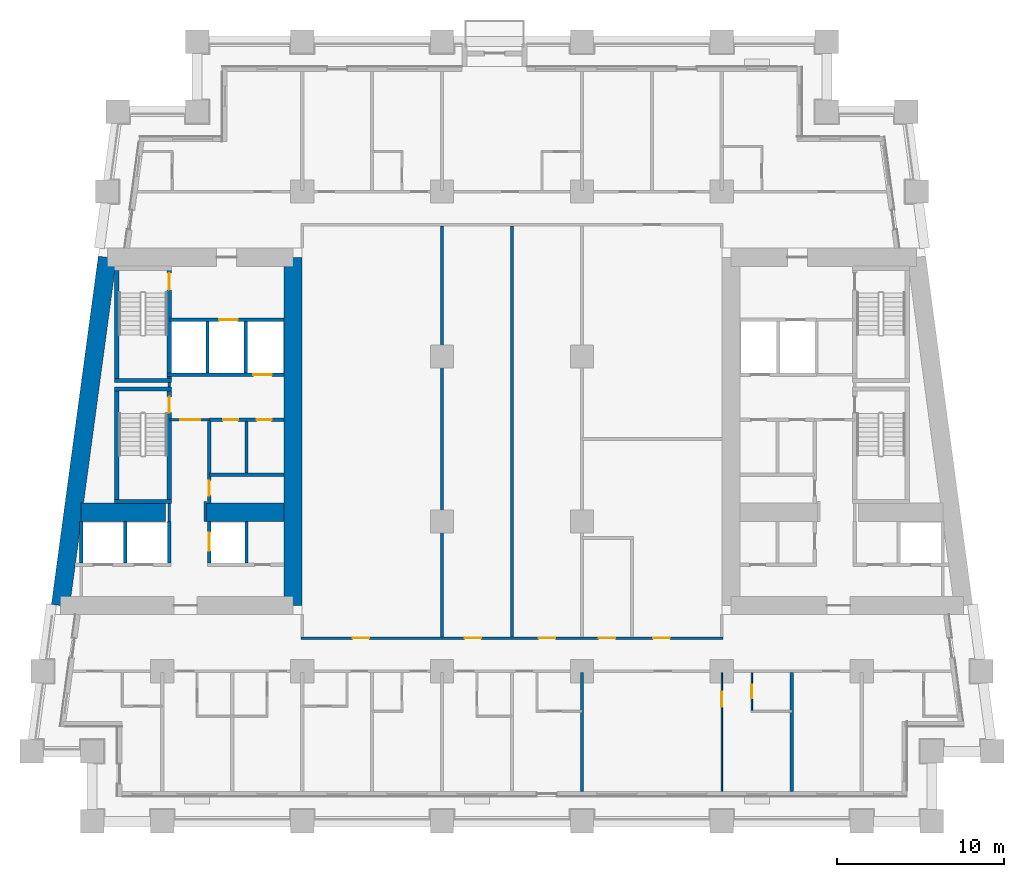
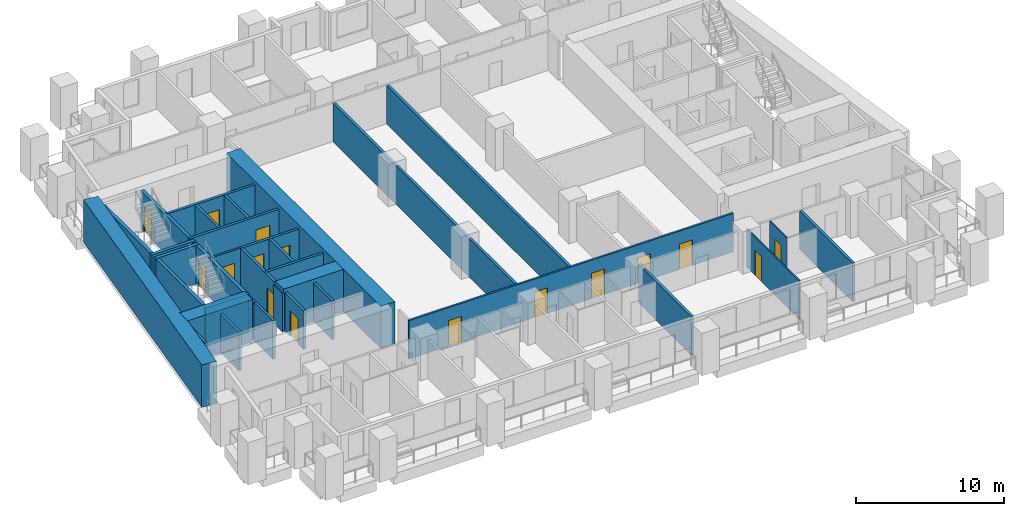
# One storey, part 4 of 13: 35 walls, 16 doors, 16 openings.
"""IFC4 building model written with IfcOpenShell, lengths in metres."""

from ifc_helpers import new_model, si_unit, direction, frame, frame_2d, origin, place, context, subcontext, project, spatial, rectangle, extrude, material, layer, layer_set, type_object, element, fill, save


model = new_model("IFC4")

# Units and contexts
model_context = context("Model", 3, precision=1e-05, world=origin(), true_north=direction((0.0, 1.0)))
body_context = subcontext(model_context, "Body", "Model", "MODEL_VIEW")
ifc_project = project(units=[si_unit("LENGTHUNIT", "METRE"), si_unit("AREAUNIT", "SQUARE_METRE"), si_unit("VOLUMEUNIT", "CUBIC_METRE"), si_unit("PLANEANGLEUNIT", "RADIAN"), si_unit("MASSUNIT", "GRAM", prefix="KILO")], contexts=[model_context])

# Site, building, storey
site_placement = place(None, origin())
site = spatial("IfcSite", under=ifc_project, at=site_placement, CompositionType="ELEMENT")
building_placement = place(site_placement, origin())
building = spatial("IfcBuilding", under=site, at=building_placement, Name="Candeia Pilgrim Tower and Theatre", CompositionType="ELEMENT")
storey_placement = place(building_placement, frame((0.0, 0.0, 67.0)))
storey = spatial("IfcBuildingStorey", under=building, at=storey_placement, Name="L14", CompositionType="ELEMENT", Elevation=67.0)

# Walls
ifc_material_1 = material(Name="Concrete C80/95", Category="concrete")
ifc_layer_1 = layer(ifc_material_1, 1.10009765625)
ifc_layer_set_1 = layer_set([ifc_layer_1], Name="Core wall 1100 C80/95")
wall_type_1 = type_object("IfcWallType", Name="Core wall 1100 C80/95", PredefinedType="SHEAR", material=ifc_layer_set_1)
wall_1_placement = place(storey_placement, frame((100.25, 131.85009765625, 0.0), z_axis=(0.0, 0.0, 1.0), x_axis=(0.0, -1.0, 0.0)))
element("IfcWall", 1, at=wall_1_placement, inside=storey, type_object=wall_type_1, Name="Core wall W2", PredefinedType="SHEAR", context=body_context, shape_type="SweptSolid", body=[
    extrude(rectangle(XDim=20.900146484375, YDim=1.10009765625, at=frame_2d((10.4501953125, 0.0))), origin(), (0.0, 0.0, 1.0), 3.5),
])
wall_2_placement = place(storey_placement, frame((86.29833984375, 110.949951171875, 0.0), z_axis=(0.0, 0.0, 1.0), x_axis=(0.133400422634, 0.99106222168, 0.0)))
element("IfcWall", 2, at=wall_2_placement, inside=storey, type_object=wall_type_1, Name="Core wall W4", PredefinedType="SHEAR", context=body_context, shape_type="SweptSolid", body=[
    extrude(rectangle(XDim=21.088623046875, YDim=1.10009765625, at=frame_2d((10.54443359375, 0.0))), origin(), (0.0, 0.0, 1.0), 3.5),
])
wall_3_placement = place(storey_placement, frame((87.523193359375, 116.550048828125, 0.0), z_axis=(0.0, 0.0, 1.0), x_axis=(1.0, 0.0, 0.0)))
element("IfcWall", 3, at=wall_3_placement, inside=storey, type_object=wall_type_1, Name="Core wall W5", PredefinedType="SHEAR", context=body_context, shape_type="SweptSolid", body=[
    extrude(rectangle(XDim=5.076904296875, YDim=1.10009765625, at=frame_2d((2.53857421875, 0.0))), origin(), (0.0, 0.0, 1.0), 3.5),
])
wall_4_placement = place(storey_placement, frame((95.0, 116.550048828125, 0.0), z_axis=(0.0, 0.0, 1.0), x_axis=(1.0, 0.0, 0.0)))
element("IfcWall", 4, at=wall_4_placement, inside=storey, type_object=wall_type_1, Name="Core wall W6", PredefinedType="SHEAR", context=body_context, shape_type="SweptSolid", body=[
    extrude(rectangle(XDim=4.699951171875, YDim=1.10009765625, at=frame_2d((2.35009765625, 0.0))), origin(), (0.0, 0.0, 1.0), 3.5),
])

# Wall, opening, door
ifc_material_2 = material(Name="Gypsum board partition on steel studs", Category="steel")
ifc_layer_2 = layer(ifc_material_2, 0.10009765625)
ifc_layer_set_2 = layer_set([ifc_layer_2], Name="PW-100 room partition")
wall_type_2 = type_object("IfcWallType", Name="PW-100 room partition", PredefinedType="PARTITIONING", material=ifc_layer_set_2)
wall_5_placement = place(storey_placement, frame((126.0, 99.7900390625, 0.0), z_axis=(0.0, 0.0, 1.0), x_axis=(0.0, 1.0, 0.0)))
wall_5 = element("IfcWall", 5, at=wall_5_placement, inside=storey, type_object=wall_type_2, Name="Room partition L14-088", PredefinedType="PARTITIONING", context=body_context, shape_type="SweptSolid", body=[
    extrude(rectangle(XDim=7.135009765625, YDim=0.10009765625, at=frame_2d((3.5673828125, 0.0))), origin(), (0.0, 0.0, 1.0), 3.179931640625),
])
opening_1_placement = place(wall_5_placement, frame((5.074951171875, 0.0, 0.0)))
opening_1 = element("IfcOpeningElement", 6, at=opening_1_placement, cuts=wall_5, Name="Opening L14-D032", PredefinedType="OPENING", context=body_context, shape_type="SweptSolid", body=[
    extrude(rectangle(XDim=0.89990234375, YDim=2.10009765625, at=frame_2d((0.449951171875, 1.050048828125))), frame((0.0, 0.06005859375, 0.0), z_axis=(0.0, -1.0, 0.0), x_axis=(1.0, 0.0, 0.0)), (0.0, 0.0, 1.0), 0.1201171875),
])
ifc_material_3 = material(Name="Timber door leaf", Category="wood")
door_type_1 = type_object("IfcDoorType", Name="D-900", OperationType="NOTDEFINED", PredefinedType="DOOR", material=ifc_material_3)
door_1_placement = place(opening_1_placement, origin())
door_1 = element("IfcDoor", 7, at=door_1_placement, inside=storey, type_object=door_type_1, Name="Door L14-D032", OperationType="SINGLE_SWING_RIGHT", OverallHeight=2.10009765625, OverallWidth=0.89990234375, PredefinedType="DOOR", context=body_context, shape_type="SweptSolid", body=[
    extrude(rectangle(XDim=0.89990234375, YDim=2.10009765625, at=frame_2d((0.449951171875, 1.050048828125))), frame((0.0, 0.02490234375, 0.0), z_axis=(0.0, -1.0, 0.0), x_axis=(1.0, 0.0, 0.0)), (0.0, 0.0, 1.0), 0.050048828125),
])
fill(opening_1, door_1)

wall_6_placement = place(storey_placement, frame((127.800048828125, 104.64990234375, 0.0), z_axis=(0.0, 0.0, 1.0), x_axis=(0.0, 1.0, 0.0)))
wall_6 = element("IfcWall", 8, at=wall_6_placement, inside=storey, type_object=wall_type_2, Name="Room partition L14-092", PredefinedType="PARTITIONING", context=body_context, shape_type="SweptSolid", body=[
    extrude(rectangle(XDim=2.275146484375, YDim=0.10009765625, at=frame_2d((1.1376953125, 0.0))), origin(), (0.0, 0.0, 1.0), 3.179931640625),
])
opening_2_placement = place(wall_6_placement, frame((0.75, 0.0, 0.0)))
opening_2 = element("IfcOpeningElement", 9, at=opening_2_placement, cuts=wall_6, Name="Opening L14-D033", PredefinedType="OPENING", context=body_context, shape_type="SweptSolid", body=[
    extrude(rectangle(XDim=0.800048828125, YDim=2.10009765625, at=frame_2d((0.39990234375, 1.050048828125))), frame((0.0, 0.06005859375, 0.0), z_axis=(0.0, -1.0, 0.0), x_axis=(1.0, 0.0, 0.0)), (0.0, 0.0, 1.0), 0.1201171875),
])
door_type_2 = type_object("IfcDoorType", Name="D-800", OperationType="NOTDEFINED", PredefinedType="DOOR", material=ifc_material_3)
door_2_placement = place(opening_2_placement, origin())
door_2 = element("IfcDoor", 10, at=door_2_placement, inside=storey, type_object=door_type_2, Name="Door L14-D033", OperationType="SINGLE_SWING_LEFT", OverallHeight=2.10009765625, OverallWidth=0.800048828125, PredefinedType="DOOR", context=body_context, shape_type="SweptSolid", body=[
    extrude(rectangle(XDim=0.800048828125, YDim=2.10009765625, at=frame_2d((0.39990234375, 1.050048828125))), frame((0.0, 0.02490234375, 0.0), z_axis=(0.0, -1.0, 0.0), x_axis=(1.0, 0.0, 0.0)), (0.0, 0.0, 1.0), 0.050048828125),
])
fill(opening_2, door_2)

ifc_layer_3 = layer(ifc_material_2, 0.14990234375)
ifc_layer_set_3 = layer_set([ifc_layer_3], Name="PW-150 lobby wall")
wall_type_3 = type_object("IfcWallType", Name="PW-150 lobby wall", PredefinedType="PARTITIONING", material=ifc_layer_set_3)
wall_7_placement = place(storey_placement, frame((92.826904296875, 122.10009765625, 0.0), z_axis=(0.0, 0.0, 1.0), x_axis=(1.0, 0.0, 0.0)))
wall_7 = element("IfcWall", 11, at=wall_7_placement, inside=storey, type_object=wall_type_3, Name="Lobby wall L14-023", PredefinedType="PARTITIONING", context=body_context, shape_type="SweptSolid", body=[
    extrude(rectangle(XDim=2.400146484375, YDim=0.14990234375, at=frame_2d((1.2001953125, 0.0))), origin(), (0.0, 0.0, 1.0), 3.179931640625),
])
opening_3_placement = place(wall_7_placement, frame((0.64990234375, 0.0, 0.0)))
opening_3 = element("IfcOpeningElement", 12, at=opening_3_placement, cuts=wall_7, Name="Opening L14-D001", PredefinedType="OPENING", context=body_context, shape_type="SweptSolid", body=[
    extrude(rectangle(XDim=1.199951171875, YDim=2.10009765625, at=frame_2d((0.60009765625, 1.050048828125))), frame((0.0, 0.0849609375, 0.0), z_axis=(0.0, -1.0, 0.0), x_axis=(1.0, 0.0, 0.0)), (0.0, 0.0, 1.0), 0.169921875),
])
ifc_material_4 = material(Name="Steel fire door set", Category="steel")
door_type_3 = type_object("IfcDoorType", Name="D-1200-FD60", OperationType="NOTDEFINED", PredefinedType="DOOR", material=ifc_material_4)
door_3_placement = place(opening_3_placement, origin())
door_3 = element("IfcDoor", 13, at=door_3_placement, inside=storey, type_object=door_type_3, Name="Door L14-D001", OperationType="SINGLE_SWING_LEFT", OverallHeight=2.10009765625, OverallWidth=1.199951171875, PredefinedType="DOOR", context=body_context, shape_type="SweptSolid", body=[
    extrude(rectangle(XDim=1.199951171875, YDim=2.10009765625, at=frame_2d((0.60009765625, 1.050048828125))), frame((0.0, 0.02490234375, 0.0), z_axis=(0.0, -1.0, 0.0), x_axis=(1.0, 0.0, 0.0)), (0.0, 0.0, 1.0), 0.050048828125),
])
fill(opening_3, door_3)

# Walls
wall_8_placement = place(storey_placement, frame((92.826904296875, 116.0, 0.0), z_axis=(0.0, 0.0, 1.0), x_axis=(0.0, 1.0, 0.0)))
element("IfcWall", 14, at=wall_8_placement, inside=storey, type_object=wall_type_3, Name="Lobby wall L14-051", PredefinedType="PARTITIONING", context=body_context, shape_type="SweptSolid", body=[
    extrude(rectangle(XDim=1.070068359375, YDim=0.14990234375, at=frame_2d((0.53515625, 0.0))), origin(), (0.0, 0.0, 1.0), 3.179931640625),
])
wall_9_placement = place(storey_placement, frame((92.826904296875, 124.074951171875, 0.0), z_axis=(0.0, 0.0, 1.0), x_axis=(0.0, 1.0, 0.0)))
element("IfcWall", 15, at=wall_9_placement, inside=storey, type_object=wall_type_3, Name="Lobby wall L14-052", PredefinedType="PARTITIONING", context=body_context, shape_type="SweptSolid", body=[
    extrude(rectangle(XDim=0.25, YDim=0.14990234375, at=frame_2d((0.125, 0.0))), origin(), (0.0, 0.0, 1.0), 3.179931640625),
])
wall_10_placement = place(storey_placement, frame((95.0, 116.0, 0.0), z_axis=(0.0, 0.0, 1.0), x_axis=(0.0, 1.0, 0.0)))
element("IfcWall", 16, at=wall_10_placement, inside=storey, type_object=wall_type_3, Name="Lobby wall L14-057", PredefinedType="PARTITIONING", context=body_context, shape_type="SweptSolid", body=[
    extrude(rectangle(XDim=1.199951171875, YDim=0.14990234375, at=frame_2d((0.60009765625, 0.0))), origin(), (0.0, 0.0, 1.0), 3.179931640625),
])

# Wall, openings, doors
ifc_layer_4 = layer(ifc_material_2, 0.14990234375)
ifc_layer_set_4 = layer_set([ifc_layer_4], Name="PW-150 unit wall")
wall_type_4 = type_object("IfcWallType", Name="PW-150 unit wall", PredefinedType="PARTITIONING", material=ifc_layer_set_4)
wall_11_placement = place(storey_placement, frame((100.72509765625, 109.0, 0.0), z_axis=(0.0, 0.0, 1.0), x_axis=(1.0, 0.0, 0.0)))
wall_11 = element("IfcWall", 17, at=wall_11_placement, inside=storey, type_object=wall_type_4, Name="Unit wall L14-010", PredefinedType="PARTITIONING", context=body_context, shape_type="SweptSolid", body=[
    extrude(rectangle(XDim=25.349853515625, YDim=0.14990234375, at=frame_2d((12.6748046875, 0.0))), origin(), (0.0, 0.0, 1.0), 3.179931640625),
])
opening_4_placement = place(wall_11_placement, frame((21.14990234375, 0.0, 0.0)))
opening_4 = element("IfcOpeningElement", 18, at=opening_4_placement, cuts=wall_11, Name="Opening L14-D048", PredefinedType="OPENING", context=body_context, shape_type="SweptSolid", body=[
    extrude(rectangle(XDim=1.0, YDim=2.10009765625, at=frame_2d((0.5, 1.050048828125))), frame((0.0, 0.0849609375, 0.0), z_axis=(0.0, -1.0, 0.0), x_axis=(1.0, 0.0, 0.0)), (0.0, 0.0, 1.0), 0.169921875),
])
opening_5_placement = place(wall_11_placement, frame((3.10498046875, 0.0, 0.0)))
opening_5 = element("IfcOpeningElement", 19, at=opening_5_placement, cuts=wall_11, Name="Opening L14-D049", PredefinedType="OPENING", context=body_context, shape_type="SweptSolid", body=[
    extrude(rectangle(XDim=1.0, YDim=2.10009765625, at=frame_2d((0.5, 1.050048828125))), frame((0.0, 0.0849609375, 0.0), z_axis=(0.0, -1.0, 0.0), x_axis=(1.0, 0.0, 0.0)), (0.0, 0.0, 1.0), 0.169921875),
])
opening_6_placement = place(wall_11_placement, frame((9.824951171875, 0.0, 0.0)))
opening_6 = element("IfcOpeningElement", 20, at=opening_6_placement, cuts=wall_11, Name="Opening L14-D050", PredefinedType="OPENING", context=body_context, shape_type="SweptSolid", body=[
    extrude(rectangle(XDim=1.0, YDim=2.10009765625, at=frame_2d((0.5, 1.050048828125))), frame((0.0, 0.0849609375, 0.0), z_axis=(0.0, -1.0, 0.0), x_axis=(1.0, 0.0, 0.0)), (0.0, 0.0, 1.0), 0.169921875),
])
opening_7_placement = place(wall_11_placement, frame((14.27490234375, 0.0, 0.0)))
opening_7 = element("IfcOpeningElement", 21, at=opening_7_placement, cuts=wall_11, Name="Opening L14-D051", PredefinedType="OPENING", context=body_context, shape_type="SweptSolid", body=[
    extrude(rectangle(XDim=1.0, YDim=2.10009765625, at=frame_2d((0.5, 1.050048828125))), frame((0.0, 0.0849609375, 0.0), z_axis=(0.0, -1.0, 0.0), x_axis=(1.0, 0.0, 0.0)), (0.0, 0.0, 1.0), 0.169921875),
])
opening_8_placement = place(wall_11_placement, frame((17.875, 0.0, 0.0)))
opening_8 = element("IfcOpeningElement", 22, at=opening_8_placement, cuts=wall_11, Name="Opening L14-D052", PredefinedType="OPENING", context=body_context, shape_type="SweptSolid", body=[
    extrude(rectangle(XDim=1.0, YDim=2.10009765625, at=frame_2d((0.5, 1.050048828125))), frame((0.0, 0.0849609375, 0.0), z_axis=(0.0, -1.0, 0.0), x_axis=(1.0, 0.0, 0.0)), (0.0, 0.0, 1.0), 0.169921875),
])
door_type_4 = type_object("IfcDoorType", Name="D-1000-FD30S", OperationType="NOTDEFINED", PredefinedType="DOOR", material=ifc_material_4)
door_4_placement = place(opening_4_placement, origin())
door_4 = element("IfcDoor", 23, at=door_4_placement, inside=storey, type_object=door_type_4, Name="Door L14-D048", OperationType="SINGLE_SWING_RIGHT", OverallHeight=2.10009765625, OverallWidth=1.0, PredefinedType="DOOR", context=body_context, shape_type="SweptSolid", body=[
    extrude(rectangle(XDim=1.0, YDim=2.10009765625, at=frame_2d((0.5, 1.050048828125))), frame((0.0, 0.02490234375, 0.0), z_axis=(0.0, -1.0, 0.0), x_axis=(1.0, 0.0, 0.0)), (0.0, 0.0, 1.0), 0.050048828125),
])
fill(opening_4, door_4)
door_5_placement = place(opening_5_placement, origin())
door_5 = element("IfcDoor", 24, at=door_5_placement, inside=storey, type_object=door_type_4, Name="Door L14-D049", OperationType="SINGLE_SWING_LEFT", OverallHeight=2.10009765625, OverallWidth=1.0, PredefinedType="DOOR", context=body_context, shape_type="SweptSolid", body=[
    extrude(rectangle(XDim=1.0, YDim=2.10009765625, at=frame_2d((0.5, 1.050048828125))), frame((0.0, 0.02490234375, 0.0), z_axis=(0.0, -1.0, 0.0), x_axis=(1.0, 0.0, 0.0)), (0.0, 0.0, 1.0), 0.050048828125),
])
fill(opening_5, door_5)
door_6_placement = place(opening_6_placement, origin())
door_6 = element("IfcDoor", 25, at=door_6_placement, inside=storey, type_object=door_type_4, Name="Door L14-D050", OperationType="SINGLE_SWING_RIGHT", OverallHeight=2.10009765625, OverallWidth=1.0, PredefinedType="DOOR", context=body_context, shape_type="SweptSolid", body=[
    extrude(rectangle(XDim=1.0, YDim=2.10009765625, at=frame_2d((0.5, 1.050048828125))), frame((0.0, 0.02490234375, 0.0), z_axis=(0.0, -1.0, 0.0), x_axis=(1.0, 0.0, 0.0)), (0.0, 0.0, 1.0), 0.050048828125),
])
fill(opening_6, door_6)
door_7_placement = place(opening_7_placement, origin())
door_7 = element("IfcDoor", 26, at=door_7_placement, inside=storey, type_object=door_type_4, Name="Door L14-D051", OperationType="SINGLE_SWING_LEFT", OverallHeight=2.10009765625, OverallWidth=1.0, PredefinedType="DOOR", context=body_context, shape_type="SweptSolid", body=[
    extrude(rectangle(XDim=1.0, YDim=2.10009765625, at=frame_2d((0.5, 1.050048828125))), frame((0.0, 0.02490234375, 0.0), z_axis=(0.0, -1.0, 0.0), x_axis=(1.0, 0.0, 0.0)), (0.0, 0.0, 1.0), 0.050048828125),
])
fill(opening_7, door_7)
door_8_placement = place(opening_8_placement, origin())
door_8 = element("IfcDoor", 27, at=door_8_placement, inside=storey, type_object=door_type_4, Name="Door L14-D052", OperationType="SINGLE_SWING_RIGHT", OverallHeight=2.10009765625, OverallWidth=1.0, PredefinedType="DOOR", context=body_context, shape_type="SweptSolid", body=[
    extrude(rectangle(XDim=1.0, YDim=2.10009765625, at=frame_2d((0.5, 1.050048828125))), frame((0.0, 0.02490234375, 0.0), z_axis=(0.0, -1.0, 0.0), x_axis=(1.0, 0.0, 0.0)), (0.0, 0.0, 1.0), 0.050048828125),
])
fill(opening_8, door_8)

# Walls
ifc_layer_5 = layer(ifc_material_2, 0.199951171875)
ifc_layer_set_5 = layer_set([ifc_layer_5], Name="PW-200 party wall")
wall_type_5 = type_object("IfcWallType", Name="PW-200 party wall", PredefinedType="PARTITIONING", material=ifc_layer_set_5)
for number, where, z_axis, x_axis, name in (
    (28, (109.199951171875, 109.074951171875, 0.0), (0.0, 0.0, 1.0), (0.0, 1.0, 0.0), "Party wall L14-076"),
    (29, (113.39990234375, 109.074951171875, 0.0), (0.0, 0.0, 1.0), (0.0, 1.0, 0.0), "Party wall L14-080"),
):
    element("IfcWall", number, at=place(storey_placement, frame(where, z_axis=z_axis, x_axis=x_axis)), inside=storey, type_object=wall_type_5, Name=name, PredefinedType="PARTITIONING", context=body_context, shape_type="SweptSolid", body=[
        extrude(rectangle(XDim=24.650146484375, YDim=0.199951171875, at=frame_2d((12.3251953125, 0.0))), origin(), (0.0, 0.0, 1.0), 3.179931640625),
    ])
for number, where, z_axis, x_axis, name in (
    (30, (117.60009765625, 99.7900390625, 0.0), (0.0, 0.0, 1.0), (0.0, 1.0, 0.0), "Party wall L14-083"),
    (31, (130.199951171875, 99.7900390625, 0.0), (0.0, 0.0, 1.0), (0.0, 1.0, 0.0), "Party wall L14-097"),
):
    element("IfcWall", number, at=place(storey_placement, frame(where, z_axis=z_axis, x_axis=x_axis)), inside=storey, type_object=wall_type_5, Name=name, PredefinedType="PARTITIONING", context=body_context, shape_type="SweptSolid", body=[
        extrude(rectangle(XDim=7.135009765625, YDim=0.199951171875, at=frame_2d((3.5673828125, 0.0))), origin(), (0.0, 0.0, 1.0), 3.179931640625),
    ])
ifc_material_5 = material(Name="Concrete C40/50", Category="concrete")
ifc_layer_6 = layer(ifc_material_5, 0.199951171875)
ifc_layer_set_6 = layer_set([ifc_layer_6], Name="SW-200 shaft wall")
wall_type_6 = type_object("IfcWallType", Name="SW-200 shaft wall", PredefinedType="PARTITIONING", material=ifc_layer_set_6)
wall_12_placement = place(storey_placement, frame((95.22705078125, 118.800048828125, 0.0), z_axis=(0.0, 0.0, 1.0), x_axis=(1.0, 0.0, 0.0)))
element("IfcWall", 32, at=wall_12_placement, inside=storey, type_object=wall_type_6, Name="Shaft wall L14-018", PredefinedType="PARTITIONING", context=body_context, shape_type="SweptSolid", body=[
    extrude(rectangle(XDim=4.472900390625, YDim=0.199951171875, at=frame_2d((2.236328125, 0.0))), origin(), (0.0, 0.0, 1.0), 3.179931640625),
])

# Wall, openings, doors
wall_13_placement = place(storey_placement, frame((95.22705078125, 122.10009765625, 0.0), z_axis=(0.0, 0.0, 1.0), x_axis=(1.0, 0.0, 0.0)))
wall_13 = element("IfcWall", 33, at=wall_13_placement, inside=storey, type_object=wall_type_6, Name="Shaft wall L14-021", PredefinedType="PARTITIONING", context=body_context, shape_type="SweptSolid", body=[
    extrude(rectangle(XDim=4.472900390625, YDim=0.199951171875, at=frame_2d((2.236328125, 0.0))), origin(), (0.0, 0.0, 1.0), 3.179931640625),
])
opening_9_placement = place(wall_13_placement, frame((0.826904296875, 0.0, 0.0)))
opening_9 = element("IfcOpeningElement", 34, at=opening_9_placement, cuts=wall_13, Name="Opening L14-D002", PredefinedType="OPENING", context=body_context, shape_type="SweptSolid", body=[
    extrude(rectangle(XDim=0.89990234375, YDim=2.10009765625, at=frame_2d((0.449951171875, 1.050048828125))), frame((0.0, 0.10986328125, 0.0), z_axis=(0.0, -1.0, 0.0), x_axis=(1.0, 0.0, 0.0)), (0.0, 0.0, 1.0), 0.219970703125),
])
opening_10_placement = place(wall_13_placement, frame((2.841064453125, 0.0, 0.0)))
opening_10 = element("IfcOpeningElement", 35, at=opening_10_placement, cuts=wall_13, Name="Opening L14-D003", PredefinedType="OPENING", context=body_context, shape_type="SweptSolid", body=[
    extrude(rectangle(XDim=0.89990234375, YDim=2.10009765625, at=frame_2d((0.449951171875, 1.050048828125))), frame((0.0, 0.10986328125, 0.0), z_axis=(0.0, -1.0, 0.0), x_axis=(1.0, 0.0, 0.0)), (0.0, 0.0, 1.0), 0.219970703125),
])
door_type_5 = type_object("IfcDoorType", Name="D-900-FD60", OperationType="NOTDEFINED", PredefinedType="DOOR", material=ifc_material_4)
door_9_placement = place(opening_9_placement, origin())
door_9 = element("IfcDoor", 36, at=door_9_placement, inside=storey, type_object=door_type_5, Name="Door L14-D002", OperationType="SINGLE_SWING_RIGHT", OverallHeight=2.10009765625, OverallWidth=0.89990234375, PredefinedType="DOOR", context=body_context, shape_type="SweptSolid", body=[
    extrude(rectangle(XDim=0.89990234375, YDim=2.10009765625, at=frame_2d((0.449951171875, 1.050048828125))), frame((0.0, 0.02490234375, 0.0), z_axis=(0.0, -1.0, 0.0), x_axis=(1.0, 0.0, 0.0)), (0.0, 0.0, 1.0), 0.050048828125),
])
fill(opening_9, door_9)
door_10_placement = place(opening_10_placement, origin())
door_10 = element("IfcDoor", 37, at=door_10_placement, inside=storey, type_object=door_type_5, Name="Door L14-D003", OperationType="SINGLE_SWING_LEFT", OverallHeight=2.10009765625, OverallWidth=0.89990234375, PredefinedType="DOOR", context=body_context, shape_type="SweptSolid", body=[
    extrude(rectangle(XDim=0.89990234375, YDim=2.10009765625, at=frame_2d((0.449951171875, 1.050048828125))), frame((0.0, 0.02490234375, 0.0), z_axis=(0.0, -1.0, 0.0), x_axis=(1.0, 0.0, 0.0)), (0.0, 0.0, 1.0), 0.050048828125),
])
fill(opening_10, door_10)

# Wall, opening, door
wall_14_placement = place(storey_placement, frame((92.701904296875, 124.800048828125, 0.0), z_axis=(0.0, 0.0, 1.0), x_axis=(1.0, 0.0, 0.0)))
wall_14 = element("IfcWall", 38, at=wall_14_placement, inside=storey, type_object=wall_type_6, Name="Shaft wall L14-029", PredefinedType="PARTITIONING", context=body_context, shape_type="SweptSolid", body=[
    extrude(rectangle(XDim=6.998046875, YDim=0.199951171875, at=frame_2d((3.4990234375, 0.0))), origin(), (0.0, 0.0, 1.0), 3.179931640625),
])
opening_11_placement = place(wall_14_placement, frame((5.179931640625, 0.0, 0.0)))
opening_11 = element("IfcOpeningElement", 39, at=opening_11_placement, cuts=wall_14, Name="Opening L14-LD02", PredefinedType="OPENING", context=body_context, shape_type="SweptSolid", body=[
    extrude(rectangle(XDim=1.10009765625, YDim=2.10009765625, at=frame_2d((0.550048828125, 1.050048828125))), frame((0.0, 0.10986328125, 0.0), z_axis=(0.0, -1.0, 0.0), x_axis=(1.0, 0.0, 0.0)), (0.0, 0.0, 1.0), 0.219970703125),
])
ifc_material_6 = material(Name="Glazed aluminium landing door", Category="aluminium")
door_type_6 = type_object("IfcDoorType", Name="LD-1100-EI120", OperationType="SLIDING_TO_LEFT", PredefinedType="DOOR", material=ifc_material_6)
door_11_placement = place(opening_11_placement, origin())
door_11 = element("IfcDoor", 40, at=door_11_placement, inside=storey, type_object=door_type_6, Name="Landing door 02 L14", OperationType="SLIDING_TO_LEFT", OverallHeight=2.10009765625, OverallWidth=1.10009765625, PredefinedType="DOOR", context=body_context, shape_type="SweptSolid", body=[
    extrude(rectangle(XDim=1.10009765625, YDim=2.10009765625, at=frame_2d((0.550048828125, 1.050048828125))), frame((0.0, 0.02490234375, 0.0), z_axis=(0.0, -1.0, 0.0), x_axis=(1.0, 0.0, 0.0)), (0.0, 0.0, 1.0), 0.050048828125),
])
fill(opening_11, door_11)

wall_15_placement = place(storey_placement, frame((92.826904296875, 128.10009765625, 0.0), z_axis=(0.0, 0.0, 1.0), x_axis=(1.0, 0.0, 0.0)))
wall_15 = element("IfcWall", 41, at=wall_15_placement, inside=storey, type_object=wall_type_6, Name="Shaft wall L14-032", PredefinedType="PARTITIONING", context=body_context, shape_type="SweptSolid", body=[
    extrude(rectangle(XDim=6.873046875, YDim=0.199951171875, at=frame_2d((3.4365234375, 0.0))), origin(), (0.0, 0.0, 1.0), 3.179931640625),
])
opening_12_placement = place(wall_15_placement, frame((3.009033203125, 0.0, 0.0)))
opening_12 = element("IfcOpeningElement", 42, at=opening_12_placement, cuts=wall_15, Name="Opening L14-LD01", PredefinedType="OPENING", context=body_context, shape_type="SweptSolid", body=[
    extrude(rectangle(XDim=1.10009765625, YDim=2.10009765625, at=frame_2d((0.550048828125, 1.050048828125))), frame((0.0, 0.10986328125, 0.0), z_axis=(0.0, -1.0, 0.0), x_axis=(1.0, 0.0, 0.0)), (0.0, 0.0, 1.0), 0.219970703125),
])
door_12_placement = place(opening_12_placement, origin())
door_12 = element("IfcDoor", 43, at=door_12_placement, inside=storey, type_object=door_type_6, Name="Landing door 01 L14", OperationType="SLIDING_TO_LEFT", OverallHeight=2.10009765625, OverallWidth=1.10009765625, PredefinedType="DOOR", context=body_context, shape_type="SweptSolid", body=[
    extrude(rectangle(XDim=1.10009765625, YDim=2.10009765625, at=frame_2d((0.550048828125, 1.050048828125))), frame((0.0, 0.02490234375, 0.0), z_axis=(0.0, -1.0, 0.0), x_axis=(1.0, 0.0, 0.0)), (0.0, 0.0, 1.0), 0.050048828125),
])
fill(opening_12, door_12)

# Walls
for number, where, z_axis, x_axis, name in (
    (44, (87.552001953125, 113.5, 0.0), (0.0, 0.0, 1.0), (0.0, 1.0, 0.0), "Shaft wall L14-043"),
    (45, (90.178466796875, 113.5, 0.0), (0.0, 0.0, 1.0), (0.0, 1.0, 0.0), "Shaft wall L14-048"),
    (46, (92.826904296875, 113.5, 0.0), (0.0, 0.0, 1.0), (0.0, 1.0, 0.0), "Shaft wall L14-050"),
):
    element("IfcWall", number, at=place(storey_placement, frame(where, z_axis=z_axis, x_axis=x_axis)), inside=storey, type_object=wall_type_6, Name=name, PredefinedType="PARTITIONING", context=body_context, shape_type="SweptSolid", body=[
        extrude(rectangle(XDim=2.5, YDim=0.199951171875, at=frame_2d((1.25, 0.0))), origin(), (0.0, 0.0, 1.0), 3.179931640625),
    ])
wall_16_placement = place(storey_placement, frame((95.117919921875, 124.89990234375, 0.0), z_axis=(0.0, 0.0, 1.0), x_axis=(0.0, 1.0, 0.0)))
element("IfcWall", 47, at=wall_16_placement, inside=storey, type_object=wall_type_6, Name="Shaft wall L14-058", PredefinedType="PARTITIONING", context=body_context, shape_type="SweptSolid", body=[
    extrude(rectangle(XDim=3.10009765625, YDim=0.199951171875, at=frame_2d((1.550048828125, 0.0))), origin(), (0.0, 0.0, 1.0), 3.179931640625),
])

# Wall, opening, door
wall_17_placement = place(storey_placement, frame((95.22705078125, 113.5, 0.0), z_axis=(0.0, 0.0, 1.0), x_axis=(0.0, 1.0, 0.0)))
wall_17 = element("IfcWall", 48, at=wall_17_placement, inside=storey, type_object=wall_type_6, Name="Shaft wall L14-059", PredefinedType="PARTITIONING", context=body_context, shape_type="SweptSolid", body=[
    extrude(rectangle(XDim=2.5, YDim=0.199951171875, at=frame_2d((1.25, 0.0))), origin(), (0.0, 0.0, 1.0), 3.179931640625),
])
opening_13_placement = place(wall_17_placement, frame((0.72998046875, 0.0, 0.0)))
opening_13 = element("IfcOpeningElement", 49, at=opening_13_placement, cuts=wall_17, Name="Opening L14-LD05", PredefinedType="OPENING", context=body_context, shape_type="SweptSolid", body=[
    extrude(rectangle(XDim=1.10009765625, YDim=2.10009765625, at=frame_2d((0.550048828125, 1.050048828125))), frame((0.0, 0.10986328125, 0.0), z_axis=(0.0, -1.0, 0.0), x_axis=(1.0, 0.0, 0.0)), (0.0, 0.0, 1.0), 0.219970703125),
])
door_13_placement = place(opening_13_placement, origin())
door_13 = element("IfcDoor", 50, at=door_13_placement, inside=storey, type_object=door_type_6, Name="Landing door 05 L14", OperationType="SLIDING_TO_LEFT", OverallHeight=2.10009765625, OverallWidth=1.10009765625, PredefinedType="DOOR", context=body_context, shape_type="SweptSolid", body=[
    extrude(rectangle(XDim=1.10009765625, YDim=2.10009765625, at=frame_2d((0.550048828125, 1.050048828125))), frame((0.0, 0.02490234375, 0.0), z_axis=(0.0, -1.0, 0.0), x_axis=(1.0, 0.0, 0.0)), (0.0, 0.0, 1.0), 0.050048828125),
])
fill(opening_13, door_13)

wall_18_placement = place(storey_placement, frame((95.22705078125, 117.070068359375, 0.0), z_axis=(0.0, 0.0, 1.0), x_axis=(0.0, 1.0, 0.0)))
wall_18 = element("IfcWall", 51, at=wall_18_placement, inside=storey, type_object=wall_type_6, Name="Shaft wall L14-060", PredefinedType="PARTITIONING", context=body_context, shape_type="SweptSolid", body=[
    extrude(rectangle(XDim=4.929931640625, YDim=0.199951171875, at=frame_2d((2.46484375, 0.0))), origin(), (0.0, 0.0, 1.0), 3.179931640625),
])
opening_14_placement = place(wall_18_placement, frame((0.47998046875, 0.0, 0.0)))
opening_14 = element("IfcOpeningElement", 52, at=opening_14_placement, cuts=wall_18, Name="Opening L14-D006", PredefinedType="OPENING", context=body_context, shape_type="SweptSolid", body=[
    extrude(rectangle(XDim=0.89990234375, YDim=2.10009765625, at=frame_2d((0.449951171875, 1.050048828125))), frame((0.0, 0.10986328125, 0.0), z_axis=(0.0, -1.0, 0.0), x_axis=(1.0, 0.0, 0.0)), (0.0, 0.0, 1.0), 0.219970703125),
])
door_14_placement = place(opening_14_placement, origin())
door_14 = element("IfcDoor", 53, at=door_14_placement, inside=storey, type_object=door_type_5, Name="Door L14-D006", OperationType="SINGLE_SWING_RIGHT", OverallHeight=2.10009765625, OverallWidth=0.89990234375, PredefinedType="DOOR", context=body_context, shape_type="SweptSolid", body=[
    extrude(rectangle(XDim=0.89990234375, YDim=2.10009765625, at=frame_2d((0.449951171875, 1.050048828125))), frame((0.0, 0.02490234375, 0.0), z_axis=(0.0, -1.0, 0.0), x_axis=(1.0, 0.0, 0.0)), (0.0, 0.0, 1.0), 0.050048828125),
])
fill(opening_14, door_14)

# Walls
wall_19_placement = place(storey_placement, frame((97.408935546875, 124.89990234375, 0.0), z_axis=(0.0, 0.0, 1.0), x_axis=(0.0, 1.0, 0.0)))
element("IfcWall", 54, at=wall_19_placement, inside=storey, type_object=wall_type_6, Name="Shaft wall L14-062", PredefinedType="PARTITIONING", context=body_context, shape_type="SweptSolid", body=[
    extrude(rectangle(XDim=3.10009765625, YDim=0.199951171875, at=frame_2d((1.550048828125, 0.0))), origin(), (0.0, 0.0, 1.0), 3.179931640625),
])
wall_20_placement = place(storey_placement, frame((97.46337890625, 113.5, 0.0), z_axis=(0.0, 0.0, 1.0), x_axis=(0.0, 1.0, 0.0)))
element("IfcWall", 55, at=wall_20_placement, inside=storey, type_object=wall_type_6, Name="Shaft wall L14-063", PredefinedType="PARTITIONING", context=body_context, shape_type="SweptSolid", body=[
    extrude(rectangle(XDim=2.5, YDim=0.199951171875, at=frame_2d((1.25, 0.0))), origin(), (0.0, 0.0, 1.0), 3.179931640625),
])
wall_21_placement = place(storey_placement, frame((97.46337890625, 118.89990234375, 0.0), z_axis=(0.0, 0.0, 1.0), x_axis=(0.0, 1.0, 0.0)))
element("IfcWall", 56, at=wall_21_placement, inside=storey, type_object=wall_type_6, Name="Shaft wall L14-064", PredefinedType="PARTITIONING", context=body_context, shape_type="SweptSolid", body=[
    extrude(rectangle(XDim=3.10009765625, YDim=0.199951171875, at=frame_2d((1.550048828125, 0.0))), origin(), (0.0, 0.0, 1.0), 3.179931640625),
])
ifc_layer_7 = layer(ifc_material_5, 0.25)
ifc_layer_set_7 = layer_set([ifc_layer_7], Name="SW-250 stair wall")
wall_type_7 = type_object("IfcWallType", Name="SW-250 stair wall", PredefinedType="PARTITIONING", material=ifc_layer_set_7)
for number, where, z_axis, x_axis, name in (
    (57, (89.552001953125, 117.199951171875, 0.0), (0.0, 0.0, 1.0), (1.0, 0.0, 0.0), "Stair wall L14-016"),
    (58, (89.552001953125, 123.949951171875, 0.0), (0.0, 0.0, 1.0), (1.0, 0.0, 0.0), "Stair wall L14-025"),
    (59, (89.552001953125, 124.449951171875, 0.0), (0.0, 0.0, 1.0), (1.0, 0.0, 0.0), "Stair wall L14-027"),
):
    element("IfcWall", number, at=place(storey_placement, frame(where, z_axis=z_axis, x_axis=x_axis)), inside=storey, type_object=wall_type_7, Name=name, PredefinedType="PARTITIONING", context=body_context, shape_type="SweptSolid", body=[
        extrude(rectangle(XDim=3.39990234375, YDim=0.25, at=frame_2d((1.699951171875, 0.0))), origin(), (0.0, 0.0, 1.0), 3.179931640625),
    ])
wall_22_placement = place(storey_placement, frame((89.677001953125, 117.070068359375, 0.0), z_axis=(0.0, 0.0, 1.0), x_axis=(0.0, 1.0, 0.0)))
element("IfcWall", 60, at=wall_22_placement, inside=storey, type_object=wall_type_7, Name="Stair wall L14-045", PredefinedType="PARTITIONING", context=body_context, shape_type="SweptSolid", body=[
    extrude(rectangle(XDim=6.7548828125, YDim=0.25, at=frame_2d((3.37744140625, 0.0))), origin(), (0.0, 0.0, 1.0), 3.179931640625),
])
wall_23_placement = place(storey_placement, frame((89.677001953125, 124.574951171875, 0.0), z_axis=(0.0, 0.0, 1.0), x_axis=(0.0, 1.0, 0.0)))
element("IfcWall", 61, at=wall_23_placement, inside=storey, type_object=wall_type_7, Name="Stair wall L14-046", PredefinedType="PARTITIONING", context=body_context, shape_type="SweptSolid", body=[
    extrude(rectangle(XDim=6.5, YDim=0.25, at=frame_2d((3.25, 0.0))), origin(), (0.0, 0.0, 1.0), 3.179931640625),
])

# Wall, opening, door
wall_24_placement = place(storey_placement, frame((92.826904296875, 117.070068359375, 0.0), z_axis=(0.0, 0.0, 1.0), x_axis=(0.0, 1.0, 0.0)))
wall_24 = element("IfcWall", 62, at=wall_24_placement, inside=storey, type_object=wall_type_7, Name="Stair wall L14-053", PredefinedType="PARTITIONING", context=body_context, shape_type="SweptSolid", body=[
    extrude(rectangle(XDim=6.7548828125, YDim=0.25, at=frame_2d((3.37744140625, 0.0))), origin(), (0.0, 0.0, 1.0), 3.179931640625),
])
opening_15_placement = place(wall_24_placement, frame((5.455078125, 0.0, 0.0)))
opening_15 = element("IfcOpeningElement", 63, at=opening_15_placement, cuts=wall_24, Name="Opening L14-D004", PredefinedType="OPENING", context=body_context, shape_type="SweptSolid", body=[
    extrude(rectangle(XDim=0.949951171875, YDim=2.10009765625, at=frame_2d((0.47509765625, 1.050048828125))), frame((0.0, 0.135009765625, 0.0), z_axis=(0.0, -1.0, 0.0), x_axis=(1.0, 0.0, 0.0)), (0.0, 0.0, 1.0), 0.27001953125),
])
door_type_7 = type_object("IfcDoorType", Name="D-950-FD60", OperationType="NOTDEFINED", PredefinedType="DOOR", material=ifc_material_4)
door_15_placement = place(opening_15_placement, origin())
door_15 = element("IfcDoor", 64, at=door_15_placement, inside=storey, type_object=door_type_7, Name="Door L14-D004", OperationType="SINGLE_SWING_RIGHT", OverallHeight=2.10009765625, OverallWidth=0.949951171875, PredefinedType="DOOR", context=body_context, shape_type="SweptSolid", body=[
    extrude(rectangle(XDim=0.949951171875, YDim=2.10009765625, at=frame_2d((0.47509765625, 1.050048828125))), frame((0.0, 0.02490234375, 0.0), z_axis=(0.0, -1.0, 0.0), x_axis=(1.0, 0.0, 0.0)), (0.0, 0.0, 1.0), 0.050048828125),
])
fill(opening_15, door_15)

wall_25_placement = place(storey_placement, frame((92.826904296875, 124.574951171875, 0.0), z_axis=(0.0, 0.0, 1.0), x_axis=(0.0, 1.0, 0.0)))
wall_25 = element("IfcWall", 65, at=wall_25_placement, inside=storey, type_object=wall_type_7, Name="Stair wall L14-054", PredefinedType="PARTITIONING", context=body_context, shape_type="SweptSolid", body=[
    extrude(rectangle(XDim=6.755126953125, YDim=0.25, at=frame_2d((3.37744140625, 0.0))), origin(), (0.0, 0.0, 1.0), 3.179931640625),
])
opening_16_placement = place(wall_25_placement, frame((5.324951171875, 0.0, 0.0)))
opening_16 = element("IfcOpeningElement", 66, at=opening_16_placement, cuts=wall_25, Name="Opening L14-D005", PredefinedType="OPENING", context=body_context, shape_type="SweptSolid", body=[
    extrude(rectangle(XDim=1.0, YDim=2.10009765625, at=frame_2d((0.5, 1.050048828125))), frame((0.0, 0.135009765625, 0.0), z_axis=(0.0, -1.0, 0.0), x_axis=(1.0, 0.0, 0.0)), (0.0, 0.0, 1.0), 0.27001953125),
])
door_type_8 = type_object("IfcDoorType", Name="D-1000-FD60", OperationType="NOTDEFINED", PredefinedType="DOOR", material=ifc_material_4)
door_16_placement = place(opening_16_placement, origin())
door_16 = element("IfcDoor", 67, at=door_16_placement, inside=storey, type_object=door_type_8, Name="Door L14-D005", OperationType="SINGLE_SWING_LEFT", OverallHeight=2.10009765625, OverallWidth=1.0, PredefinedType="DOOR", context=body_context, shape_type="SweptSolid", body=[
    extrude(rectangle(XDim=1.0, YDim=2.10009765625, at=frame_2d((0.5, 1.050048828125))), frame((0.0, 0.02490234375, 0.0), z_axis=(0.0, -1.0, 0.0), x_axis=(1.0, 0.0, 0.0)), (0.0, 0.0, 1.0), 0.050048828125),
])
fill(opening_16, door_16)

save(model, "model.ifc")
